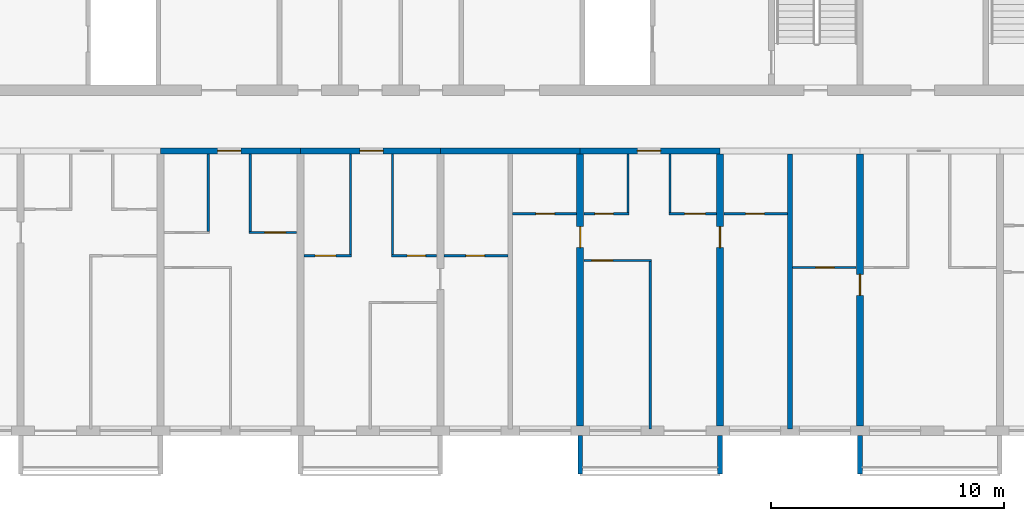
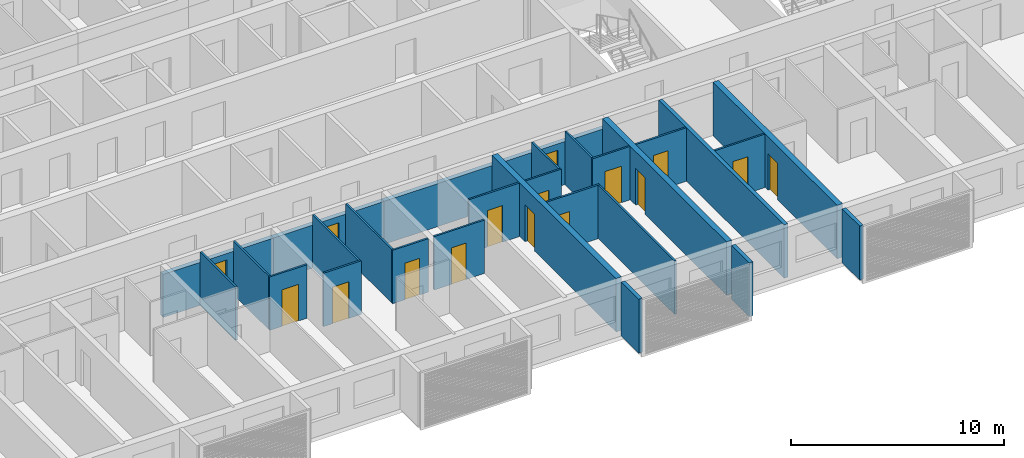
# One storey, part 5 of 33: 28 walls, 16 doors, 16 openings.
"""IFC4 building model written with IfcOpenShell, lengths in metres."""

from ifc_helpers import new_model, si_unit, direction, frame, frame_2d, origin, place, context, subcontext, project, spatial, polyline, rectangle, outline, extrude, source, transform, mapped, material, layer, layer_set, type_object, element, fill, save


model = new_model("IFC4")

# Units and contexts
model_context = context("Model", 3, precision=1e-05, world=origin(), true_north=direction((0.0, 1.0)))
body_context = subcontext(model_context, "Body", "Model", "MODEL_VIEW")
ifc_project = project(units=[si_unit("LENGTHUNIT", "METRE"), si_unit("AREAUNIT", "SQUARE_METRE"), si_unit("VOLUMEUNIT", "CUBIC_METRE"), si_unit("PLANEANGLEUNIT", "RADIAN"), si_unit("MASSUNIT", "GRAM", prefix="KILO")], contexts=[model_context])

# Site, building, storey
site_placement = place(None, origin())
site = spatial("IfcSite", under=ifc_project, at=site_placement, CompositionType="ELEMENT")
building_placement = place(site_placement, origin())
building = spatial("IfcBuilding", under=site, at=building_placement, Name="Poui Terraces", CompositionType="ELEMENT")
storey_placement = place(building_placement, frame((0.0, 0.0, 138.89990234375)))
storey = spatial("IfcBuildingStorey", under=building, at=storey_placement, Name="L38", CompositionType="ELEMENT", Elevation=138.89990234375)

# Wall, opening, door
ifc_material_1 = material(Name="Concrete 65 MPa", Category="concrete")
ifc_layer_1 = layer(ifc_material_1, 0.25)
ifc_layer_set_1 = layer_set([ifc_layer_1], Name="Concrete 65 MPa")
wall_type_1 = type_object("IfcWallType", Name="CORRIDOR WALL 250 65MPa", PredefinedType="SHEAR", material=ifc_layer_set_1)
wall_1_placement = place(storey_placement, frame((42.0, 12.0, 0.0), z_axis=(0.0, 0.0, 1.0), x_axis=(1.0, 0.0, 0.0)))
wall_1 = element("IfcWall", 1, at=wall_1_placement, inside=storey, type_object=wall_type_1, Name="CORRIDOR WALL LINE B BAY 6", PredefinedType="SHEAR", context=body_context, shape_type="SweptSolid", body=[
    extrude(rectangle(XDim=6.0, YDim=0.25, at=frame_2d((3.0, 0.0))), origin(), (0.0, 0.0, 1.0), 2.47021484375),
])
opening_1_placement = place(wall_1_placement, frame((2.449951171875, 0.0, 0.0)))
opening_1 = element("IfcOpeningElement", 2, at=opening_1_placement, cuts=wall_1, Name="Opening FD30S", PredefinedType="OPENING", context=body_context, shape_type="SweptSolid", body=[
    extrude(rectangle(XDim=1.0, YDim=2.10009765625, at=frame_2d((0.5, 1.050048828125))), frame((0.0, 0.135009765625, 0.0), z_axis=(0.0, -1.0, 0.0), x_axis=(1.0, 0.0, 0.0)), (0.0, 0.0, 1.0), 0.27001953125),
])
ifc_material_2 = material(Name="Steel fire door", Category="steel")
door_type_1 = type_object("IfcDoorType", Name="FLAT ENTRANCE DOOR 1000 X 2100", OperationType="NOTDEFINED", PredefinedType="DOOR", material=ifc_material_2)
door_1_placement = place(opening_1_placement, frame((1.0, 0.0, 0.0), z_axis=(0.0, 0.0, 1.0), x_axis=(-1.0, 0.0, 0.0)))
door_1 = element("IfcDoor", 3, at=door_1_placement, inside=storey, type_object=door_type_1, Name="FLAT ENTRANCE DOOR 091", OperationType="SINGLE_SWING_RIGHT", OverallHeight=2.10009765625, OverallWidth=1.0, PredefinedType="DOOR", context=body_context, shape_type="SweptSolid", body=[
    extrude(rectangle(XDim=1.0, YDim=2.10009765625, at=frame_2d((0.5, 1.050048828125))), frame((0.0, 0.02490234375, 0.0), z_axis=(0.0, -1.0, 0.0), x_axis=(1.0, 0.0, 0.0)), (0.0, 0.0, 1.0), 0.050048828125),
])
fill(opening_1, door_1)

wall_2_placement = place(storey_placement, frame((48.0, 12.0, 0.0), z_axis=(0.0, 0.0, 1.0), x_axis=(1.0, 0.0, 0.0)))
wall_2 = element("IfcWall", 4, at=wall_2_placement, inside=storey, type_object=wall_type_1, Name="CORRIDOR WALL LINE B BAY 7", PredefinedType="SHEAR", context=body_context, shape_type="SweptSolid", body=[
    extrude(rectangle(XDim=6.0, YDim=0.25, at=frame_2d((3.0, 0.0))), origin(), (0.0, 0.0, 1.0), 2.47021484375),
])
opening_2_placement = place(wall_2_placement, frame((2.550048828125, 0.0, 0.0)))
opening_2 = element("IfcOpeningElement", 5, at=opening_2_placement, cuts=wall_2, Name="Opening FD30S", PredefinedType="OPENING", context=body_context, shape_type="SweptSolid", body=[
    extrude(rectangle(XDim=1.0, YDim=2.10009765625, at=frame_2d((0.5, 1.050048828125))), frame((0.0, 0.135009765625, 0.0), z_axis=(0.0, -1.0, 0.0), x_axis=(1.0, 0.0, 0.0)), (0.0, 0.0, 1.0), 0.27001953125),
])
door_2_placement = place(opening_2_placement, frame((1.0, 0.0, 0.0), z_axis=(0.0, 0.0, 1.0), x_axis=(-1.0, 0.0, 0.0)))
door_2 = element("IfcDoor", 6, at=door_2_placement, inside=storey, type_object=door_type_1, Name="FLAT ENTRANCE DOOR 095", OperationType="SINGLE_SWING_LEFT", OverallHeight=2.10009765625, OverallWidth=1.0, PredefinedType="DOOR", context=body_context, shape_type="SweptSolid", body=[
    extrude(rectangle(XDim=1.0, YDim=2.10009765625, at=frame_2d((0.5, 1.050048828125))), frame((0.0, 0.02490234375, 0.0), z_axis=(0.0, -1.0, 0.0), x_axis=(1.0, 0.0, 0.0)), (0.0, 0.0, 1.0), 0.050048828125),
])
fill(opening_2, door_2)

# Wall
wall_3_placement = place(storey_placement, frame((54.0, 12.0, 0.0), z_axis=(0.0, 0.0, 1.0), x_axis=(1.0, 0.0, 0.0)))
element("IfcWall", 7, at=wall_3_placement, inside=storey, type_object=wall_type_1, Name="CORRIDOR WALL LINE B BAY 8", PredefinedType="SHEAR", context=body_context, shape_type="SweptSolid", body=[
    extrude(rectangle(XDim=6.0, YDim=0.25, at=frame_2d((3.0, 0.0))), origin(), (0.0, 0.0, 1.0), 2.47021484375),
])

# Wall, opening, door
wall_4_placement = place(storey_placement, frame((60.0, 12.0, 0.0), z_axis=(0.0, 0.0, 1.0), x_axis=(1.0, 0.0, 0.0)))
wall_4 = element("IfcWall", 8, at=wall_4_placement, inside=storey, type_object=wall_type_1, Name="CORRIDOR WALL LINE B BAY 9", PredefinedType="SHEAR", context=body_context, shape_type="SweptSolid", body=[
    extrude(rectangle(XDim=6.0, YDim=0.25, at=frame_2d((3.0, 0.0))), origin(), (0.0, 0.0, 1.0), 2.47021484375),
])
opening_3_placement = place(wall_4_placement, frame((2.449951171875, 0.0, 0.0)))
opening_3 = element("IfcOpeningElement", 9, at=opening_3_placement, cuts=wall_4, Name="Opening FD30S", PredefinedType="OPENING", context=body_context, shape_type="SweptSolid", body=[
    extrude(rectangle(XDim=1.0, YDim=2.10009765625, at=frame_2d((0.5, 1.050048828125))), frame((0.0, 0.135009765625, 0.0), z_axis=(0.0, -1.0, 0.0), x_axis=(1.0, 0.0, 0.0)), (0.0, 0.0, 1.0), 0.27001953125),
])
door_3_placement = place(opening_3_placement, frame((1.0, 0.0, 0.0), z_axis=(0.0, 0.0, 1.0), x_axis=(-1.0, 0.0, 0.0)))
door_3 = element("IfcDoor", 10, at=door_3_placement, inside=storey, type_object=door_type_1, Name="FLAT ENTRANCE DOOR 104", OperationType="SINGLE_SWING_RIGHT", OverallHeight=2.10009765625, OverallWidth=1.0, PredefinedType="DOOR", context=body_context, shape_type="SweptSolid", body=[
    extrude(rectangle(XDim=1.0, YDim=2.10009765625, at=frame_2d((0.5, 1.050048828125))), frame((0.0, 0.02490234375, 0.0), z_axis=(0.0, -1.0, 0.0), x_axis=(1.0, 0.0, 0.0)), (0.0, 0.0, 1.0), 0.050048828125),
])
fill(opening_3, door_3)

ifc_layer_2 = layer(ifc_material_1, 0.300048828125)
ifc_layer_set_2 = layer_set([ifc_layer_2], Name="Concrete 65 MPa")
wall_type_2 = type_object("IfcWallType", Name="CROSS WALL 300 65MPa", PredefinedType="SHEAR", material=ifc_layer_set_2)
wall_5_placement = place(storey_placement, frame((60.0, 0.199951171875, 0.0), z_axis=(0.0, 0.0, 1.0), x_axis=(0.0, 1.0, 0.0)))
wall_5 = element("IfcWall", 11, at=wall_5_placement, inside=storey, type_object=wall_type_2, Name="CROSS WALL LINE 11 SOUTH", PredefinedType="SHEAR", context=body_context, shape_type="SweptSolid", body=[
    extrude(rectangle(XDim=11.675048828125, YDim=0.300048828125, at=frame_2d((5.83740234375, 0.0))), origin(), (0.0, 0.0, 1.0), 3.070068359375),
])
opening_4_placement = place(wall_5_placement, frame((7.64990234375, 0.0, 0.0)))
opening_4 = element("IfcOpeningElement", 12, at=opening_4_placement, cuts=wall_5, Name="Opening D90", PredefinedType="OPENING", context=body_context, shape_type="SweptSolid", body=[
    extrude(rectangle(XDim=0.89990234375, YDim=2.10009765625, at=frame_2d((0.449951171875, 1.050048828125))), frame((0.0, 0.16015625, 0.0), z_axis=(0.0, -1.0, 0.0), x_axis=(1.0, 0.0, 0.0)), (0.0, 0.0, 1.0), 0.320068359375),
])
ifc_material_3 = material(Name="Solid core timber door", Category="wood")
door_type_2 = type_object("IfcDoorType", Name="INTERNAL DOOR 900 X 2100", OperationType="NOTDEFINED", PredefinedType="DOOR", material=ifc_material_3)
door_4_placement = place(opening_4_placement, origin())
door_4 = element("IfcDoor", 13, at=door_4_placement, inside=storey, type_object=door_type_2, Name="INTERNAL DOOR 101", OperationType="SINGLE_SWING_RIGHT", OverallHeight=2.10009765625, OverallWidth=0.89990234375, PredefinedType="DOOR", context=body_context, shape_type="SweptSolid", body=[
    extrude(rectangle(XDim=0.89990234375, YDim=2.10009765625, at=frame_2d((0.449951171875, 1.050048828125))), frame((0.0, 0.02490234375, 0.0), z_axis=(0.0, -1.0, 0.0), x_axis=(1.0, 0.0, 0.0)), (0.0, 0.0, 1.0), 0.050048828125),
])
fill(opening_4, door_4)

wall_6_placement = place(storey_placement, frame((66.0, 0.199951171875, 0.0), z_axis=(0.0, 0.0, 1.0), x_axis=(0.0, 1.0, 0.0)))
wall_6 = element("IfcWall", 14, at=wall_6_placement, inside=storey, type_object=wall_type_2, Name="CROSS WALL LINE 12 SOUTH", PredefinedType="SHEAR", context=body_context, shape_type="SweptSolid", body=[
    extrude(rectangle(XDim=11.675048828125, YDim=0.300048828125, at=frame_2d((5.83740234375, 0.0))), origin(), (0.0, 0.0, 1.0), 3.070068359375),
])
opening_5_placement = place(wall_6_placement, frame((7.64990234375, 0.0, 0.0)))
opening_5 = element("IfcOpeningElement", 15, at=opening_5_placement, cuts=wall_6, Name="Opening D90", PredefinedType="OPENING", context=body_context, shape_type="SweptSolid", body=[
    extrude(rectangle(XDim=0.89990234375, YDim=2.10009765625, at=frame_2d((0.449951171875, 1.050048828125))), frame((0.0, 0.16015625, 0.0), z_axis=(0.0, -1.0, 0.0), x_axis=(1.0, 0.0, 0.0)), (0.0, 0.0, 1.0), 0.320068359375),
])
door_5_placement = place(opening_5_placement, frame((0.89990234375, 0.0, 0.0), z_axis=(0.0, 0.0, 1.0), x_axis=(-1.0, 0.0, 0.0)))
door_5 = element("IfcDoor", 16, at=door_5_placement, inside=storey, type_object=door_type_2, Name="INTERNAL DOOR 106", OperationType="SINGLE_SWING_LEFT", OverallHeight=2.10009765625, OverallWidth=0.89990234375, PredefinedType="DOOR", context=body_context, shape_type="SweptSolid", body=[
    extrude(rectangle(XDim=0.89990234375, YDim=2.10009765625, at=frame_2d((0.449951171875, 1.050048828125))), frame((0.0, 0.02490234375, 0.0), z_axis=(0.0, -1.0, 0.0), x_axis=(1.0, 0.0, 0.0)), (0.0, 0.0, 1.0), 0.050048828125),
])
fill(opening_5, door_5)

wall_7_placement = place(storey_placement, frame((72.0, 0.199951171875, 0.0), z_axis=(0.0, 0.0, 1.0), x_axis=(0.0, 1.0, 0.0)))
wall_7 = element("IfcWall", 17, at=wall_7_placement, inside=storey, type_object=wall_type_2, Name="CROSS WALL LINE 13 SOUTH", PredefinedType="SHEAR", context=body_context, shape_type="SweptSolid", body=[
    extrude(rectangle(XDim=11.675048828125, YDim=0.300048828125, at=frame_2d((5.83740234375, 0.0))), origin(), (0.0, 0.0, 1.0), 3.070068359375),
])
opening_6_placement = place(wall_7_placement, frame((5.60009765625, 0.0, 0.0)))
opening_6 = element("IfcOpeningElement", 18, at=opening_6_placement, cuts=wall_7, Name="Opening D90", PredefinedType="OPENING", context=body_context, shape_type="SweptSolid", body=[
    extrude(rectangle(XDim=0.89990234375, YDim=2.10009765625, at=frame_2d((0.449951171875, 1.050048828125))), frame((0.0, 0.16015625, 0.0), z_axis=(0.0, -1.0, 0.0), x_axis=(1.0, 0.0, 0.0)), (0.0, 0.0, 1.0), 0.320068359375),
])
door_6_placement = place(opening_6_placement, origin())
door_6 = element("IfcDoor", 19, at=door_6_placement, inside=storey, type_object=door_type_2, Name="INTERNAL DOOR 108", OperationType="SINGLE_SWING_RIGHT", OverallHeight=2.10009765625, OverallWidth=0.89990234375, PredefinedType="DOOR", context=body_context, shape_type="SweptSolid", body=[
    extrude(rectangle(XDim=0.89990234375, YDim=2.10009765625, at=frame_2d((0.449951171875, 1.050048828125))), frame((0.0, 0.02490234375, 0.0), z_axis=(0.0, -1.0, 0.0), x_axis=(1.0, 0.0, 0.0)), (0.0, 0.0, 1.0), 0.050048828125),
])
fill(opening_6, door_6)

ifc_material_4 = material(Name="Plasterboard partition")
ifc_layer_3 = layer(ifc_material_4, 0.10009765625)
ifc_layer_set_3 = layer_set([ifc_layer_3], Name="Plasterboard partition")
wall_type_3 = type_object("IfcWallType", Name="FLAT PARTITION 100", PredefinedType="PARTITIONING", material=ifc_layer_set_3)
wall_8_placement = place(storey_placement, frame((69.10009765625, 7.0, 0.0), z_axis=(0.0, 0.0, 1.0), x_axis=(1.0, 0.0, 0.0)))
wall_8 = element("IfcWall", 20, at=wall_8_placement, inside=storey, type_object=wall_type_3, Name="FLAT PARTITION 100", PredefinedType="PARTITIONING", context=body_context, shape_type="SweptSolid", body=[
    extrude(rectangle(XDim=2.739990234375, YDim=0.10009765625, at=frame_2d((1.3701171875, 0.0))), origin(), (0.0, 0.0, 1.0), 3.070068359375),
])
opening_7_placement = place(wall_8_placement, frame((1.0, 0.0, 0.0)))
opening_7 = element("IfcOpeningElement", 21, at=opening_7_placement, cuts=wall_8, Name="Opening D80", PredefinedType="OPENING", context=body_context, shape_type="SweptSolid", body=[
    extrude(rectangle(XDim=0.800048828125, YDim=2.10009765625, at=frame_2d((0.39990234375, 1.050048828125))), frame((0.0, 0.06005859375, 0.0), z_axis=(0.0, -1.0, 0.0), x_axis=(1.0, 0.0, 0.0)), (0.0, 0.0, 1.0), 0.1201171875),
])
door_type_3 = type_object("IfcDoorType", Name="BATHROOM, LAUNDRY AND STORE DOOR 800 X 2100", OperationType="NOTDEFINED", PredefinedType="DOOR", material=ifc_material_3)
door_7_placement = place(opening_7_placement, origin())
door_7 = element("IfcDoor", 22, at=door_7_placement, inside=storey, type_object=door_type_3, Name="BATHROOM, LAUNDRY AND STORE DOOR 107", OperationType="SINGLE_SWING_RIGHT", OverallHeight=2.10009765625, OverallWidth=0.800048828125, PredefinedType="DOOR", context=body_context, shape_type="SweptSolid", body=[
    extrude(rectangle(XDim=0.800048828125, YDim=2.10009765625, at=frame_2d((0.39990234375, 1.050048828125))), frame((0.0, 0.02490234375, 0.0), z_axis=(0.0, -1.0, 0.0), x_axis=(1.0, 0.0, 0.0)), (0.0, 0.0, 1.0), 0.050048828125),
])
fill(opening_7, door_7)

wall_9_placement = place(storey_placement, frame((60.159912109375, 7.300048828125, 0.0), z_axis=(0.0, 0.0, 1.0), x_axis=(1.0, 0.0, 0.0)))
wall_9 = element("IfcWall", 23, at=wall_9_placement, inside=storey, type_object=wall_type_3, Name="FLAT PARTITION 100", PredefinedType="PARTITIONING", context=body_context, shape_type="SweptSolid", body=[
    extrude(rectangle(XDim=2.89013671875, YDim=0.10009765625, at=frame_2d((1.445068359375, 0.0))), origin(), (0.0, 0.0, 1.0), 3.070068359375),
])
opening_8_placement = place(wall_9_placement, frame((0.340087890625, 0.0, 0.0)))
opening_8 = element("IfcOpeningElement", 24, at=opening_8_placement, cuts=wall_9, Name="Opening D90", PredefinedType="OPENING", context=body_context, shape_type="SweptSolid", body=[
    extrude(rectangle(XDim=0.89990234375, YDim=2.10009765625, at=frame_2d((0.449951171875, 1.050048828125))), frame((0.0, 0.06005859375, 0.0), z_axis=(0.0, -1.0, 0.0), x_axis=(1.0, 0.0, 0.0)), (0.0, 0.0, 1.0), 0.1201171875),
])
door_8_placement = place(opening_8_placement, origin())
door_8 = element("IfcDoor", 25, at=door_8_placement, inside=storey, type_object=door_type_2, Name="INTERNAL DOOR 102", OperationType="SINGLE_SWING_RIGHT", OverallHeight=2.10009765625, OverallWidth=0.89990234375, PredefinedType="DOOR", context=body_context, shape_type="SweptSolid", body=[
    extrude(rectangle(XDim=0.89990234375, YDim=2.10009765625, at=frame_2d((0.449951171875, 1.050048828125))), frame((0.0, 0.02490234375, 0.0), z_axis=(0.0, -1.0, 0.0), x_axis=(1.0, 0.0, 0.0)), (0.0, 0.0, 1.0), 0.050048828125),
])
fill(opening_8, door_8)

wall_10_placement = place(storey_placement, frame((48.159912109375, 7.5, 0.0), z_axis=(0.0, 0.0, 1.0), x_axis=(1.0, 0.0, 0.0)))
wall_10 = element("IfcWall", 26, at=wall_10_placement, inside=storey, type_object=wall_type_3, Name="FLAT PARTITION 100", PredefinedType="PARTITIONING", context=body_context, shape_type="SweptSolid", body=[
    extrude(rectangle(XDim=2.0400390625, YDim=0.10009765625, at=frame_2d((1.02001953125, 0.0))), origin(), (0.0, 0.0, 1.0), 3.070068359375),
])
opening_9_placement = place(wall_10_placement, frame((0.465087890625, 0.0, 0.0)))
opening_9 = element("IfcOpeningElement", 27, at=opening_9_placement, cuts=wall_10, Name="Opening D90", PredefinedType="OPENING", context=body_context, shape_type="SweptSolid", body=[
    extrude(rectangle(XDim=0.89990234375, YDim=2.10009765625, at=frame_2d((0.449951171875, 1.050048828125))), frame((0.0, 0.06005859375, 0.0), z_axis=(0.0, -1.0, 0.0), x_axis=(1.0, 0.0, 0.0)), (0.0, 0.0, 1.0), 0.1201171875),
])
door_9_placement = place(opening_9_placement, origin())
door_9 = element("IfcDoor", 28, at=door_9_placement, inside=storey, type_object=door_type_2, Name="INTERNAL DOOR 094", OperationType="SINGLE_SWING_RIGHT", OverallHeight=2.10009765625, OverallWidth=0.89990234375, PredefinedType="DOOR", context=body_context, shape_type="SweptSolid", body=[
    extrude(rectangle(XDim=0.89990234375, YDim=2.10009765625, at=frame_2d((0.449951171875, 1.050048828125))), frame((0.0, 0.02490234375, 0.0), z_axis=(0.0, -1.0, 0.0), x_axis=(1.0, 0.0, 0.0)), (0.0, 0.0, 1.0), 0.050048828125),
])
fill(opening_9, door_9)

wall_11_placement = place(storey_placement, frame((51.89990234375, 7.5, 0.0), z_axis=(0.0, 0.0, 1.0), x_axis=(1.0, 0.0, 0.0)))
wall_11 = element("IfcWall", 29, at=wall_11_placement, inside=storey, type_object=wall_type_3, Name="FLAT PARTITION 100", PredefinedType="PARTITIONING", context=body_context, shape_type="SweptSolid", body=[
    extrude(rectangle(XDim=1.940185546875, YDim=0.10009765625, at=frame_2d((0.97021484375, 0.0))), origin(), (0.0, 0.0, 1.0), 3.070068359375),
])
opening_10_placement = place(wall_11_placement, frame((0.675048828125, 0.0, 0.0)))
opening_10 = element("IfcOpeningElement", 30, at=opening_10_placement, cuts=wall_11, Name="Opening D80", PredefinedType="OPENING", context=body_context, shape_type="SweptSolid", body=[
    extrude(rectangle(XDim=0.800048828125, YDim=2.10009765625, at=frame_2d((0.39990234375, 1.050048828125))), frame((0.0, 0.06005859375, 0.0), z_axis=(0.0, -1.0, 0.0), x_axis=(1.0, 0.0, 0.0)), (0.0, 0.0, 1.0), 0.1201171875),
])
door_10_placement = place(opening_10_placement, origin())
door_10 = element("IfcDoor", 31, at=door_10_placement, inside=storey, type_object=door_type_3, Name="BATHROOM, LAUNDRY AND STORE DOOR 097", OperationType="SINGLE_SWING_LEFT", OverallHeight=2.10009765625, OverallWidth=0.800048828125, PredefinedType="DOOR", context=body_context, shape_type="SweptSolid", body=[
    extrude(rectangle(XDim=0.800048828125, YDim=2.10009765625, at=frame_2d((0.39990234375, 1.050048828125))), frame((0.0, 0.02490234375, 0.0), z_axis=(0.0, -1.0, 0.0), x_axis=(1.0, 0.0, 0.0)), (0.0, 0.0, 1.0), 0.050048828125),
])
fill(opening_10, door_10)

wall_12_placement = place(storey_placement, frame((54.159912109375, 7.5, 0.0), z_axis=(0.0, 0.0, 1.0), x_axis=(1.0, 0.0, 0.0)))
wall_12 = element("IfcWall", 32, at=wall_12_placement, inside=storey, type_object=wall_type_3, Name="FLAT PARTITION 100", PredefinedType="PARTITIONING", context=body_context, shape_type="SweptSolid", body=[
    extrude(rectangle(XDim=2.739990234375, YDim=0.10009765625, at=frame_2d((1.3701171875, 0.0))), origin(), (0.0, 0.0, 1.0), 3.070068359375),
])
opening_11_placement = place(wall_12_placement, frame((0.93994140625, 0.0, 0.0)))
opening_11 = element("IfcOpeningElement", 33, at=opening_11_placement, cuts=wall_12, Name="Opening D80", PredefinedType="OPENING", context=body_context, shape_type="SweptSolid", body=[
    extrude(rectangle(XDim=0.800048828125, YDim=2.10009765625, at=frame_2d((0.39990234375, 1.050048828125))), frame((0.0, 0.06005859375, 0.0), z_axis=(0.0, -1.0, 0.0), x_axis=(1.0, 0.0, 0.0)), (0.0, 0.0, 1.0), 0.1201171875),
])
door_11_placement = place(opening_11_placement, origin())
door_11 = element("IfcDoor", 34, at=door_11_placement, inside=storey, type_object=door_type_3, Name="BATHROOM, LAUNDRY AND STORE DOOR 093", OperationType="SINGLE_SWING_RIGHT", OverallHeight=2.10009765625, OverallWidth=0.800048828125, PredefinedType="DOOR", context=body_context, shape_type="SweptSolid", body=[
    extrude(rectangle(XDim=0.800048828125, YDim=2.10009765625, at=frame_2d((0.39990234375, 1.050048828125))), frame((0.0, 0.02490234375, 0.0), z_axis=(0.0, -1.0, 0.0), x_axis=(1.0, 0.0, 0.0)), (0.0, 0.0, 1.0), 0.050048828125),
])
fill(opening_11, door_11)

wall_13_placement = place(storey_placement, frame((45.800048828125, 8.5, 0.0), z_axis=(0.0, 0.0, 1.0), x_axis=(1.0, 0.0, 0.0)))
wall_13 = element("IfcWall", 35, at=wall_13_placement, inside=storey, type_object=wall_type_3, Name="FLAT PARTITION 100", PredefinedType="PARTITIONING", context=body_context, shape_type="SweptSolid", body=[
    extrude(rectangle(XDim=2.0400390625, YDim=0.10009765625, at=frame_2d((1.02001953125, 0.0))), origin(), (0.0, 0.0, 1.0), 3.070068359375),
])
opening_12_placement = place(wall_13_placement, frame((0.675048828125, 0.0, 0.0)))
opening_12 = element("IfcOpeningElement", 36, at=opening_12_placement, cuts=wall_13, Name="Opening D90", PredefinedType="OPENING", context=body_context, shape_type="SweptSolid", body=[
    extrude(rectangle(XDim=0.89990234375, YDim=2.10009765625, at=frame_2d((0.449951171875, 1.050048828125))), frame((0.0, 0.06005859375, 0.0), z_axis=(0.0, -1.0, 0.0), x_axis=(1.0, 0.0, 0.0)), (0.0, 0.0, 1.0), 0.1201171875),
])
door_12_placement = place(opening_12_placement, origin())
door_12 = element("IfcDoor", 37, at=door_12_placement, inside=storey, type_object=door_type_2, Name="INTERNAL DOOR 092", OperationType="SINGLE_SWING_RIGHT", OverallHeight=2.10009765625, OverallWidth=0.89990234375, PredefinedType="DOOR", context=body_context, shape_type="SweptSolid", body=[
    extrude(rectangle(XDim=0.89990234375, YDim=2.10009765625, at=frame_2d((0.449951171875, 1.050048828125))), frame((0.0, 0.02490234375, 0.0), z_axis=(0.0, -1.0, 0.0), x_axis=(1.0, 0.0, 0.0)), (0.0, 0.0, 1.0), 0.050048828125),
])
fill(opening_12, door_12)

wall_14_placement = place(storey_placement, frame((57.10009765625, 9.300048828125, 0.0), z_axis=(0.0, 0.0, 1.0), x_axis=(1.0, 0.0, 0.0)))
wall_14 = element("IfcWall", 38, at=wall_14_placement, inside=storey, type_object=wall_type_3, Name="FLAT PARTITION 100", PredefinedType="PARTITIONING", context=body_context, shape_type="SweptSolid", body=[
    extrude(rectangle(XDim=2.739990234375, YDim=0.10009765625, at=frame_2d((1.3701171875, 0.0))), origin(), (0.0, 0.0, 1.0), 3.070068359375),
])
opening_13_placement = place(wall_14_placement, frame((1.0, 0.0, 0.0)))
opening_13 = element("IfcOpeningElement", 39, at=opening_13_placement, cuts=wall_14, Name="Opening D80", PredefinedType="OPENING", context=body_context, shape_type="SweptSolid", body=[
    extrude(rectangle(XDim=0.800048828125, YDim=2.10009765625, at=frame_2d((0.39990234375, 1.050048828125))), frame((0.0, 0.06005859375, 0.0), z_axis=(0.0, -1.0, 0.0), x_axis=(1.0, 0.0, 0.0)), (0.0, 0.0, 1.0), 0.1201171875),
])
door_13_placement = place(opening_13_placement, origin())
door_13 = element("IfcDoor", 40, at=door_13_placement, inside=storey, type_object=door_type_3, Name="BATHROOM, LAUNDRY AND STORE DOOR 099", OperationType="SINGLE_SWING_LEFT", OverallHeight=2.10009765625, OverallWidth=0.800048828125, PredefinedType="DOOR", context=body_context, shape_type="SweptSolid", body=[
    extrude(rectangle(XDim=0.800048828125, YDim=2.10009765625, at=frame_2d((0.39990234375, 1.050048828125))), frame((0.0, 0.02490234375, 0.0), z_axis=(0.0, -1.0, 0.0), x_axis=(1.0, 0.0, 0.0)), (0.0, 0.0, 1.0), 0.050048828125),
])
fill(opening_13, door_13)

wall_15_placement = place(storey_placement, frame((60.159912109375, 9.300048828125, 0.0), z_axis=(0.0, 0.0, 1.0), x_axis=(1.0, 0.0, 0.0)))
wall_15 = element("IfcWall", 41, at=wall_15_placement, inside=storey, type_object=wall_type_3, Name="FLAT PARTITION 100", PredefinedType="PARTITIONING", context=body_context, shape_type="SweptSolid", body=[
    extrude(rectangle(XDim=1.940185546875, YDim=0.10009765625, at=frame_2d((0.97021484375, 0.0))), origin(), (0.0, 0.0, 1.0), 3.070068359375),
])
opening_14_placement = place(wall_15_placement, frame((0.465087890625, 0.0, 0.0)))
opening_14 = element("IfcOpeningElement", 42, at=opening_14_placement, cuts=wall_15, Name="Opening D80", PredefinedType="OPENING", context=body_context, shape_type="SweptSolid", body=[
    extrude(rectangle(XDim=0.800048828125, YDim=2.10009765625, at=frame_2d((0.39990234375, 1.050048828125))), frame((0.0, 0.06005859375, 0.0), z_axis=(0.0, -1.0, 0.0), x_axis=(1.0, 0.0, 0.0)), (0.0, 0.0, 1.0), 0.1201171875),
])
door_14_placement = place(opening_14_placement, origin())
door_14 = element("IfcDoor", 43, at=door_14_placement, inside=storey, type_object=door_type_3, Name="BATHROOM, LAUNDRY AND STORE DOOR 103", OperationType="SINGLE_SWING_LEFT", OverallHeight=2.10009765625, OverallWidth=0.800048828125, PredefinedType="DOOR", context=body_context, shape_type="SweptSolid", body=[
    extrude(rectangle(XDim=0.800048828125, YDim=2.10009765625, at=frame_2d((0.39990234375, 1.050048828125))), frame((0.0, 0.02490234375, 0.0), z_axis=(0.0, -1.0, 0.0), x_axis=(1.0, 0.0, 0.0)), (0.0, 0.0, 1.0), 0.050048828125),
])
fill(opening_14, door_14)

wall_16_placement = place(storey_placement, frame((63.800048828125, 9.300048828125, 0.0), z_axis=(0.0, 0.0, 1.0), x_axis=(1.0, 0.0, 0.0)))
wall_16 = element("IfcWall", 44, at=wall_16_placement, inside=storey, type_object=wall_type_3, Name="FLAT PARTITION 100", PredefinedType="PARTITIONING", context=body_context, shape_type="SweptSolid", body=[
    extrude(rectangle(XDim=2.0400390625, YDim=0.10009765625, at=frame_2d((1.02001953125, 0.0))), origin(), (0.0, 0.0, 1.0), 3.070068359375),
])
opening_15_placement = place(wall_16_placement, frame((0.675048828125, 0.0, 0.0)))
opening_15 = element("IfcOpeningElement", 45, at=opening_15_placement, cuts=wall_16, Name="Opening D90", PredefinedType="OPENING", context=body_context, shape_type="SweptSolid", body=[
    extrude(rectangle(XDim=0.89990234375, YDim=2.10009765625, at=frame_2d((0.449951171875, 1.050048828125))), frame((0.0, 0.06005859375, 0.0), z_axis=(0.0, -1.0, 0.0), x_axis=(1.0, 0.0, 0.0)), (0.0, 0.0, 1.0), 0.1201171875),
])
door_15_placement = place(opening_15_placement, origin())
door_15 = element("IfcDoor", 46, at=door_15_placement, inside=storey, type_object=door_type_2, Name="INTERNAL DOOR 105", OperationType="SINGLE_SWING_RIGHT", OverallHeight=2.10009765625, OverallWidth=0.89990234375, PredefinedType="DOOR", context=body_context, shape_type="SweptSolid", body=[
    extrude(rectangle(XDim=0.89990234375, YDim=2.10009765625, at=frame_2d((0.449951171875, 1.050048828125))), frame((0.0, 0.02490234375, 0.0), z_axis=(0.0, -1.0, 0.0), x_axis=(1.0, 0.0, 0.0)), (0.0, 0.0, 1.0), 0.050048828125),
])
fill(opening_15, door_15)

wall_17_placement = place(storey_placement, frame((66.159912109375, 9.300048828125, 0.0), z_axis=(0.0, 0.0, 1.0), x_axis=(1.0, 0.0, 0.0)))
wall_17 = element("IfcWall", 47, at=wall_17_placement, inside=storey, type_object=wall_type_3, Name="FLAT PARTITION 100", PredefinedType="PARTITIONING", context=body_context, shape_type="SweptSolid", body=[
    extrude(rectangle(XDim=2.739990234375, YDim=0.10009765625, at=frame_2d((1.3701171875, 0.0))), origin(), (0.0, 0.0, 1.0), 3.070068359375),
])
opening_16_placement = place(wall_17_placement, frame((0.93994140625, 0.0, 0.0)))
opening_16 = element("IfcOpeningElement", 48, at=opening_16_placement, cuts=wall_17, Name="Opening D80", PredefinedType="OPENING", context=body_context, shape_type="SweptSolid", body=[
    extrude(rectangle(XDim=0.800048828125, YDim=2.10009765625, at=frame_2d((0.39990234375, 1.050048828125))), frame((0.0, 0.06005859375, 0.0), z_axis=(0.0, -1.0, 0.0), x_axis=(1.0, 0.0, 0.0)), (0.0, 0.0, 1.0), 0.1201171875),
])
door_16_placement = place(opening_16_placement, origin())
door_16 = element("IfcDoor", 49, at=door_16_placement, inside=storey, type_object=door_type_3, Name="BATHROOM, LAUNDRY AND STORE DOOR 100", OperationType="SINGLE_SWING_LEFT", OverallHeight=2.10009765625, OverallWidth=0.800048828125, PredefinedType="DOOR", context=body_context, shape_type="SweptSolid", body=[
    extrude(rectangle(XDim=0.800048828125, YDim=2.10009765625, at=frame_2d((0.39990234375, 1.050048828125))), frame((0.0, 0.02490234375, 0.0), z_axis=(0.0, -1.0, 0.0), x_axis=(1.0, 0.0, 0.0)), (0.0, 0.0, 1.0), 0.050048828125),
])
fill(opening_16, door_16)

# Walls
for number, where, z_axis, x_axis, name in (
    (50, (44.050048828125, 8.550048828125, 0.0), (0.0, 0.0, 1.0), (0.0, 1.0, 0.0), "FLAT PARTITION 100"),
    (51, (45.85009765625, 8.550048828125, 0.0), (0.0, 0.0, 1.0), (0.0, 1.0, 0.0), "FLAT PARTITION 100"),
):
    element("IfcWall", number, at=place(storey_placement, frame(where, z_axis=z_axis, x_axis=x_axis)), inside=storey, type_object=wall_type_3, Name=name, PredefinedType="PARTITIONING", context=body_context, shape_type="SweptSolid", body=[
        extrude(rectangle(XDim=3.31494140625, YDim=0.10009765625, at=frame_2d((1.657470703125, 0.0))), origin(), (0.0, 0.0, 1.0), 3.070068359375),
    ])
for number, where, z_axis, x_axis, name in (
    (52, (50.14990234375, 7.550048828125, 0.0), (0.0, 0.0, 1.0), (0.0, 1.0, 0.0), "FLAT PARTITION 100"),
    (53, (51.949951171875, 7.550048828125, 0.0), (0.0, 0.0, 1.0), (0.0, 1.0, 0.0), "FLAT PARTITION 100"),
):
    element("IfcWall", number, at=place(storey_placement, frame(where, z_axis=z_axis, x_axis=x_axis)), inside=storey, type_object=wall_type_3, Name=name, PredefinedType="PARTITIONING", context=body_context, shape_type="SweptSolid", body=[
        extrude(rectangle(XDim=4.31494140625, YDim=0.10009765625, at=frame_2d((2.157470703125, 0.0))), origin(), (0.0, 0.0, 1.0), 3.070068359375),
    ])
wall_18_placement = place(storey_placement, frame((62.050048828125, 9.35009765625, 0.0), z_axis=(0.0, 0.0, 1.0), x_axis=(0.0, 1.0, 0.0)))
element("IfcWall", 54, at=wall_18_placement, inside=storey, type_object=wall_type_3, Name="FLAT PARTITION 100", PredefinedType="PARTITIONING", context=body_context, shape_type="SweptSolid", body=[
    extrude(rectangle(XDim=2.514892578125, YDim=0.10009765625, at=frame_2d((1.25732421875, 0.0))), origin(), (0.0, 0.0, 1.0), 3.070068359375),
])
wall_19_placement = place(storey_placement, frame((63.0, 0.06005859375, 0.0), z_axis=(0.0, 0.0, 1.0), x_axis=(0.0, 1.0, 0.0)))
element("IfcWall", 55, at=wall_19_placement, inside=storey, type_object=wall_type_3, Name="FLAT PARTITION 100", PredefinedType="PARTITIONING", context=body_context, shape_type="SweptSolid", body=[
    extrude(rectangle(XDim=7.18994140625, YDim=0.10009765625, at=frame_2d((3.594970703125, 0.0))), origin(), (0.0, 0.0, 1.0), 3.070068359375),
])
wall_20_placement = place(storey_placement, frame((63.85009765625, 9.35009765625, 0.0), z_axis=(0.0, 0.0, 1.0), x_axis=(0.0, 1.0, 0.0)))
element("IfcWall", 56, at=wall_20_placement, inside=storey, type_object=wall_type_3, Name="FLAT PARTITION 100", PredefinedType="PARTITIONING", context=body_context, shape_type="SweptSolid", body=[
    extrude(rectangle(XDim=2.514892578125, YDim=0.10009765625, at=frame_2d((1.25732421875, 0.0))), origin(), (0.0, 0.0, 1.0), 3.070068359375),
])
ifc_material_5 = material(Name="Fire-rated masonry wall", Category="masonry")
ifc_layer_4 = layer(ifc_material_5, 0.199951171875)
ifc_layer_set_4 = layer_set([ifc_layer_4], Name="Fire-rated masonry wall")
wall_type_4 = type_object("IfcWallType", Name="FLAT PARTY WALL 200", PredefinedType="PARTITIONING", material=ifc_layer_set_4)
wall_21_placement = place(storey_placement, frame((69.0, 0.06005859375, 0.0), z_axis=(0.0, 0.0, 1.0), x_axis=(0.0, 1.0, 0.0)))
element("IfcWall", 57, at=wall_21_placement, inside=storey, type_object=wall_type_4, Name="FLAT PARTY WALL 200", PredefinedType="PARTITIONING", context=body_context, shape_type="SweptSolid", body=[
    extrude(rectangle(XDim=11.804931640625, YDim=0.199951171875, at=frame_2d((5.90234375, 0.0))), origin(), (0.0, 0.0, 1.0), 3.070068359375),
])
ifc_material_6 = material(Name="Precast concrete 40 MPa", Category="concrete")
ifc_layer_5 = layer(ifc_material_6, 0.199951171875)
ifc_layer_set_5 = layer_set([ifc_layer_5], Name="Precast concrete 40 MPa")
wall_type_5 = type_object("IfcWallType", Name="REAR FIN 200", PredefinedType="STANDARD", material=ifc_layer_set_5)
shared_shape = source(origin(), body_context, "Body", "SweptSolid", [
    extrude(outline(polyline([(0.0, 0.0), (0.2001953125, 0.0), (0.2001953125, 1.650146484375), (0.0, 1.650146484375), (0.0, 0.0)])), origin(), (0.0, 0.0, 1.0), 3.10009765625),
])
for number, where, name in (
    (58, (59.89990234375, -1.85009765625, 0.0), "REAR FIN"),
    (59, (65.89990234375, -1.85009765625, 0.0), "REAR FIN"),
    (60, (71.89990234375, -1.85009765625, 0.0), "REAR FIN"),
):
    element("IfcWall", number, at=place(storey_placement, frame(where)), inside=storey, type_object=wall_type_5, Name=name, PredefinedType="STANDARD", context=body_context, shape_type="MappedRepresentation", body=[
        mapped(shared_shape, transform((0.0, 0.0, 0.0))),
    ])

save(model, "model.ifc")
